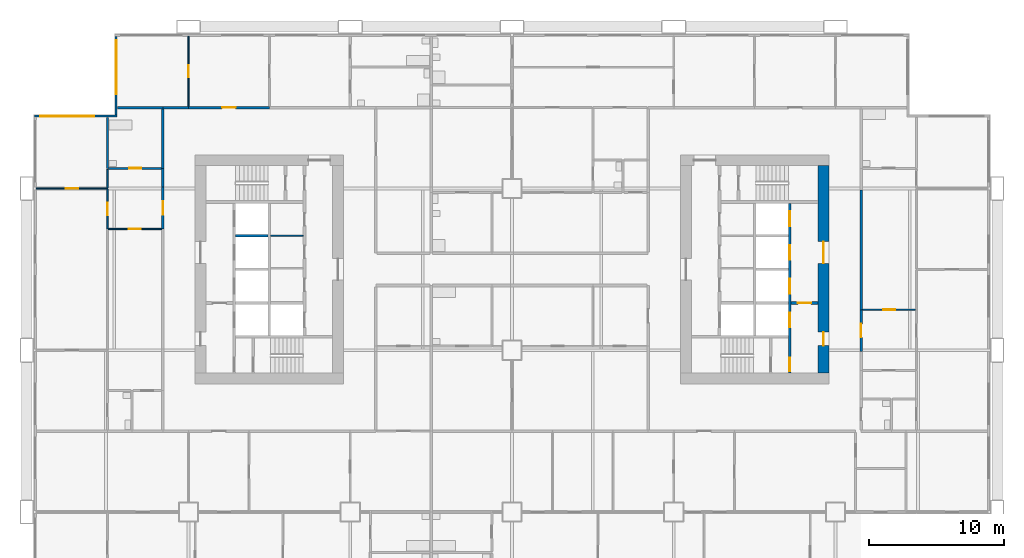
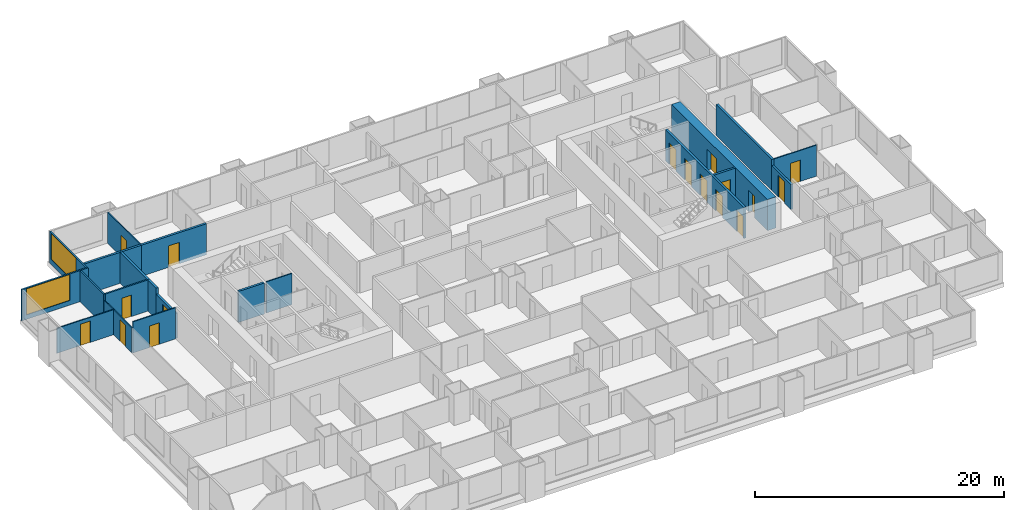
# One storey, part 7 of 13: 23 walls, 17 doors, 2 windows, 19 openings.
"""IFC4 building model written with IfcOpenShell, lengths in metres."""

import ifcopenshell
import ifcopenshell.guid

model = None  # the IFC model being written
_history = None  # IfcOwnerHistory: only IFC2X3 demands one
_inside = {}  # id of a spatial element -> (the spatial element, [elements in it])
_under = {}  # id of a project, library or spatial element -> (it, [spatial elements below it])
_declared = {}  # id of a project -> (the project, [libraries it declares])
_typed = {}  # id of a type object -> (the type object, [elements of that type])
_made_of = {}  # id of a material, layer set ... -> (it, [elements and type objects made of it])


def new_model(schema):
    """Start an empty IFC model of exactly this schema.

    Asked for "IFC4X3", IfcOpenShell would pick the latest addendum, in which some entities
    have other attributes; the version numbers below select the first issue.
    IFC2X3 requires an IfcOwnerHistory on every rooted entity: one is made here for all.
    """
    global model, _history
    if schema == "IFC4X3":
        model = ifcopenshell.file(schema_version=(4, 3, 0, 0))
    else:
        model = ifcopenshell.file(schema=schema)
    _inside.clear()
    _under.clear()
    _declared.clear()
    _typed.clear()
    _made_of.clear()
    _history = None
    if model.schema == "IFC2X3":
        org = make("IfcOrganization", Name="unknown")
        user = make(
            "IfcPersonAndOrganization",
            ThePerson=make("IfcPerson", FamilyName="unknown"),
            TheOrganization=org,
        )
        app = make(
            "IfcApplication",
            ApplicationDeveloper=org,
            Version="unknown",
            ApplicationFullName="unknown",
            ApplicationIdentifier="unknown",
        )
        _history = make(
            "IfcOwnerHistory",
            OwningUser=user,
            OwningApplication=app,
            ChangeAction="ADDED",
            CreationDate=0,
        )
    return model


def make(cls, **values):
    """One entity of the class cls with the attributes given. An attribute that is None is left unset."""
    return model.create_entity(
        cls, **{name: value for name, value in values.items() if value is not None}
    )


def rooted(cls, **values):
    """An entity with a GlobalId (a new one), such as an element, a storey or a relation."""
    return make(cls, GlobalId=ifcopenshell.guid.new(), OwnerHistory=_history, **values)


def si_unit(unit_type, name, prefix=None):
    """IfcSIUnit, for example si_unit("LENGTHUNIT", "METRE", prefix="MILLI")."""
    return make("IfcSIUnit", UnitType=unit_type, Prefix=prefix, Name=name)


def assignment(units):
    """IfcUnitAssignment: the units of a project."""
    return None if units is None else make("IfcUnitAssignment", Units=units)


def point(xyz):
    """IfcCartesianPoint."""
    return None if xyz is None else make("IfcCartesianPoint", Coordinates=xyz)


def direction(xyz):
    """IfcDirection."""
    return None if xyz is None else make("IfcDirection", DirectionRatios=xyz)


def frame(location, z_axis=None, x_axis=None):
    """IfcAxis2Placement3D, a coordinate frame: its origin and axes. An axis left out is left unset."""
    return make(
        "IfcAxis2Placement3D",
        Location=point(location),
        Axis=direction(z_axis),
        RefDirection=direction(x_axis),
    )


def frame_2d(location, x_axis=None):
    """IfcAxis2Placement2D, a coordinate frame in the plane: its origin and x axis."""
    return make(
        "IfcAxis2Placement2D", Location=point(location), RefDirection=direction(x_axis)
    )


def origin():
    """The frame at (0, 0, 0) with its axes left unset."""
    return frame((0.0, 0.0, 0.0))


def place(relative_to, where):
    """IfcLocalPlacement: puts the frame where relative to a parent placement (None: the world)."""
    return make(
        "IfcLocalPlacement", PlacementRelTo=relative_to, RelativePlacement=where
    )


def context(
    kind, dimensions, precision=None, world=None, true_north=None, identifier=None
):
    """IfcGeometricRepresentationContext, for example the 3D "Model" context."""
    return make(
        "IfcGeometricRepresentationContext",
        ContextIdentifier=identifier,
        ContextType=kind,
        CoordinateSpaceDimension=dimensions,
        Precision=precision,
        WorldCoordinateSystem=world,
        TrueNorth=true_north,
    )


def subcontext(parent, identifier, kind, view, scale=None):
    """IfcGeometricRepresentationSubContext, for example "Body" below "Model"."""
    return make(
        "IfcGeometricRepresentationSubContext",
        ContextIdentifier=identifier,
        ContextType=kind,
        ParentContext=parent,
        TargetScale=scale,
        TargetView=view,
    )


def project(units=None, contexts=None):
    """IfcProject with its units and contexts."""
    return rooted(
        "IfcProject",
        Name="project",
        RepresentationContexts=contexts,
        UnitsInContext=assignment(units),
    )


def spatial(cls, under=None, at=None, **own):
    """A site, building, storey or space (cls), placed at a placement, below another one or the project."""
    s = rooted(cls, ObjectPlacement=at, **own)
    if under is not None:
        _under.setdefault(under.id(), (under, []))[1].append(s)
    return s


def profile(cls, at=None, kind="AREA", **sizes):
    """A parametric profile (cls). Its sizes go by their IFC names, for example OverallWidth=200.0."""
    return make(cls, ProfileType=kind, Position=at, **sizes)


def rectangle(**sizes):
    """IfcRectangleProfileDef."""
    return profile("IfcRectangleProfileDef", **sizes)


def extrude(swept, where, along, depth):
    """IfcExtrudedAreaSolid: the profile swept, set in the frame where, extruded along a direction by depth."""
    return make(
        "IfcExtrudedAreaSolid",
        SweptArea=swept,
        Position=where,
        ExtrudedDirection=direction(along),
        Depth=depth,
    )


def shape(context_of_items, identifier, shape_type, items):
    """IfcShapeRepresentation: the items that make up one representation, for example the "Body"."""
    return make(
        "IfcShapeRepresentation",
        ContextOfItems=context_of_items,
        RepresentationIdentifier=identifier,
        RepresentationType=shape_type,
        Items=items,
    )


def material(Name=None, Category=None):
    """IfcMaterial."""
    return make("IfcMaterial", Name=Name, Category=Category)


def layer(
    of_material, thickness, ventilated=None, Name=None, Category=None, Priority=None
):
    """IfcMaterialLayer: one layer of a wall or slab, of a material (None: an air gap)."""
    return make(
        "IfcMaterialLayer",
        Material=of_material,
        LayerThickness=thickness,
        IsVentilated=ventilated,
        Name=Name,
        Category=Category,
        Priority=Priority,
    )


def layer_set(layers, Name=None):
    """IfcMaterialLayerSet."""
    return make("IfcMaterialLayerSet", MaterialLayers=layers, LayerSetName=Name)


def made_of(thing, what):
    """Note that an element or type object is made of a material, layer set ...; save() writes the relation."""
    if what is not None:
        _made_of.setdefault(what.id(), (what, []))[1].append(thing)
    return thing


def type_object(cls, material=None, **own):
    """A type object (cls), such as IfcWallType, which elements share."""
    return made_of(rooted(cls, **own), material)


def element(
    cls,
    number,
    at=None,
    inside=None,
    cuts=None,
    type_object=None,
    material=None,
    context=None,
    identifier="Body",
    shape_type=None,
    held_by="IfcProductDefinitionShape",
    body=None,
    shapes=None,
    **own,
):
    """One element of the class cls, such as IfcWall. Its Tag is "e" and its number.

    at: its placement. inside: the storey or other place that contains it. cuts: it is an
    opening in that element (IfcRelVoidsElement). A single representation is given by context,
    identifier, shape_type and body (its items); several are given by shapes. held_by: the class
    of the entity that holds the representations. save() writes the other relations.
    """
    e = rooted(cls, Tag="e%d" % number, ObjectPlacement=at, **own)
    if body is not None:
        shapes = [shape(context, identifier, shape_type, body)]
    if shapes is not None:
        e.Representation = make(held_by, Representations=shapes)
    if inside is not None:
        _inside.setdefault(inside.id(), (inside, []))[1].append(e)
    if cuts is not None:
        rooted(
            "IfcRelVoidsElement", RelatingBuildingElement=cuts, RelatedOpeningElement=e
        )
    if type_object is not None:
        _typed.setdefault(type_object.id(), (type_object, []))[1].append(e)
    return made_of(e, material)


def fill(opening, filler):
    """IfcRelFillsElement: the door or window that sits in an opening."""
    return rooted(
        "IfcRelFillsElement",
        RelatingOpeningElement=opening,
        RelatedBuildingElement=filler,
    )


def aggregate(whole, parts):
    """IfcRelAggregates: a whole, such as a stair, and the parts it consists of."""
    return rooted("IfcRelAggregates", RelatingObject=whole, RelatedObjects=parts)


def save(model, path):
    """Write the relations noted so far, then the file.

    IfcRelAggregates (storeys below a building ...), IfcRelContainedInSpatialStructure (elements
    in a storey), IfcRelDefinesByType, IfcRelAssociatesMaterial and IfcRelDeclares: one each for
    every whole, place, type object, material and project.
    """
    for whole, parts in _under.values():
        aggregate(whole, parts)
    for where, things in _inside.values():
        rooted(
            "IfcRelContainedInSpatialStructure",
            RelatedElements=things,
            RelatingStructure=where,
        )
    for kind, things in _typed.values():
        rooted("IfcRelDefinesByType", RelatedObjects=things, RelatingType=kind)
    for what, things in _made_of.values():
        rooted("IfcRelAssociatesMaterial", RelatedObjects=things, RelatingMaterial=what)
    for by, libraries in _declared.values():
        rooted("IfcRelDeclares", RelatingContext=by, RelatedDefinitions=libraries)
    model.write(path)


model = new_model("IFC4")

# Units and contexts
model_context = context("Model", 3, precision=1e-05, world=origin(), true_north=direction((0.0, 1.0)))
body_context = subcontext(model_context, "Body", "Model", "MODEL_VIEW")
ifc_project = project(units=[si_unit("LENGTHUNIT", "METRE"), si_unit("AREAUNIT", "SQUARE_METRE"), si_unit("VOLUMEUNIT", "CUBIC_METRE"), si_unit("PLANEANGLEUNIT", "RADIAN"), si_unit("MASSUNIT", "GRAM", prefix="KILO")], contexts=[model_context])

# Site, building, storey
site_placement = place(None, origin())
site = spatial("IfcSite", under=ifc_project, at=site_placement, CompositionType="ELEMENT")
building_placement = place(site_placement, origin())
building = spatial("IfcBuilding", under=site, at=building_placement, Name="Kitamizu Gate Tower and Museum", CompositionType="ELEMENT")
storey_placement = place(building_placement, frame((0.0, 0.0, 47.25)))
storey = spatial("IfcBuildingStorey", under=building, at=storey_placement, Name="L10", CompositionType="ELEMENT", Elevation=47.25)

# Wall, openings, doors
ifc_material_1 = material(Name="Concrete Fc60", Category="concrete")
ifc_layer_1 = layer(ifc_material_1, 0.800048828125)
ifc_layer_set_1 = layer_set([ifc_layer_1], Name="Concrete Fc60")
wall_type_1 = type_object("IfcWallType", Name="Core wall 800", PredefinedType="SHEAR", material=ifc_layer_set_1)
wall_1_placement = place(storey_placement, frame((59.10009765625, 22.300048828125, 0.0), z_axis=(0.0, 0.0, 1.0), x_axis=(0.0, 1.0, 0.0)))
wall_1 = element("IfcWall", 1, at=wall_1_placement, inside=storey, type_object=wall_type_1, Name="Core wall EOUT", PredefinedType="SHEAR", context=body_context, shape_type="SweptSolid", body=[
    extrude(rectangle(XDim=15.39990234375, YDim=0.800048828125, at=frame_2d((7.699951171875, 0.0))), origin(), (0.0, 0.0, 1.0), 3.050048828125),
])
opening_1_placement = place(wall_1_placement, frame((8.14990234375, 0.0, 0.0)))
opening_1 = element("IfcOpeningElement", 2, at=opening_1_placement, cuts=wall_1, Name="Opening L10-096", PredefinedType="OPENING", context=body_context, shape_type="SweptSolid", body=[
    extrude(rectangle(XDim=1.60009765625, YDim=2.10009765625, at=frame_2d((0.800048828125, 1.050048828125))), frame((0.0, 0.41015625, 0.0), z_axis=(0.0, -1.0, 0.0), x_axis=(1.0, 0.0, 0.0)), (0.0, 0.0, 1.0), 0.820068359375),
])
opening_2_placement = place(wall_1_placement, frame((2.050048828125, 0.0, 0.0)))
opening_2 = element("IfcOpeningElement", 3, at=opening_2_placement, cuts=wall_1, Name="Opening L10-097", PredefinedType="OPENING", context=body_context, shape_type="SweptSolid", body=[
    extrude(rectangle(XDim=1.0, YDim=2.10009765625, at=frame_2d((0.5, 1.050048828125))), frame((0.0, 0.41015625, 0.0), z_axis=(0.0, -1.0, 0.0), x_axis=(1.0, 0.0, 0.0)), (0.0, 0.0, 1.0), 0.820068359375),
])
ifc_material_2 = material(Name="Timber door set", Category="wood")
door_type_1 = type_object("IfcDoorType", Name="Entrance door 1600", OperationType="DOUBLE_DOOR_SINGLE_SWING", PredefinedType="DOOR", material=ifc_material_2)
door_1_placement = place(opening_1_placement, origin())
door_1 = element("IfcDoor", 4, at=door_1_placement, inside=storey, type_object=door_type_1, Name="Lobby door L10-096", OperationType="DOUBLE_DOOR_SINGLE_SWING", OverallHeight=2.10009765625, OverallWidth=1.60009765625, PredefinedType="DOOR", context=body_context, shape_type="SweptSolid", body=[
    extrude(rectangle(XDim=1.60009765625, YDim=2.10009765625, at=frame_2d((0.800048828125, 1.050048828125))), frame((0.0, 0.02490234375, 0.0), z_axis=(0.0, -1.0, 0.0), x_axis=(1.0, 0.0, 0.0)), (0.0, 0.0, 1.0), 0.050048828125),
])
fill(opening_1, door_1)
ifc_material_3 = material(Name="Hollow metal door set")
door_type_2 = type_object("IfcDoorType", Name="Fire door 1000", OperationType="NOTDEFINED", PredefinedType="DOOR", material=ifc_material_3)
door_2_placement = place(opening_2_placement, origin())
door_2 = element("IfcDoor", 5, at=door_2_placement, inside=storey, type_object=door_type_2, Name="Fire-fighting lobby door L10-097", OperationType="SINGLE_SWING_RIGHT", OverallHeight=2.10009765625, OverallWidth=1.0, PredefinedType="DOOR", context=body_context, shape_type="SweptSolid", body=[
    extrude(rectangle(XDim=1.0, YDim=2.10009765625, at=frame_2d((0.5, 1.050048828125))), frame((0.0, 0.02490234375, 0.0), z_axis=(0.0, -1.0, 0.0), x_axis=(1.0, 0.0, 0.0)), (0.0, 0.0, 1.0), 0.050048828125),
])
fill(opening_2, door_2)

# Wall
ifc_material_4 = material(Name="Gypsum board on galvanised stud")
ifc_layer_2 = layer(ifc_material_4, 0.10009765625)
ifc_layer_set_2 = layer_set([ifc_layer_2], Name="Gypsum board on galvanised stud")
wall_type_2 = type_object("IfcWallType", Name="Partition 100", PredefinedType="PARTITIONING", material=ifc_layer_set_2)
wall_2_placement = place(storey_placement, frame((18.10009765625, 32.490966796875, 0.0), z_axis=(0.0, 0.0, 1.0), x_axis=(1.0, 0.0, 0.0)))
element("IfcWall", 6, at=wall_2_placement, inside=storey, type_object=wall_type_2, Name="Partition WPF2", PredefinedType="PARTITIONING", context=body_context, shape_type="SweptSolid", body=[
    extrude(rectangle(XDim=2.39990234375, YDim=0.10009765625, at=frame_2d((1.199951171875, 0.0))), origin(), (0.0, 0.0, 1.0), 3.050048828125),
])

# Wall, opening, door
ifc_material_5 = material(Name="Gypsum board on galvanised stud")
ifc_layer_3 = layer(ifc_material_5, 0.10009765625)
ifc_layer_set_3 = layer_set([ifc_layer_3], Name="Gypsum board on galvanised stud")
wall_type_3 = type_object("IfcWallType", Name="Partition 100 NOT RATED", PredefinedType="PARTITIONING", material=ifc_layer_set_3)
wall_3_placement = place(storey_placement, frame((12.0, 42.10009765625, 0.0), z_axis=(0.0, 0.0, 1.0), x_axis=(0.0, 1.0, 0.0)))
wall_3 = element("IfcWall", 7, at=wall_3_placement, inside=storey, type_object=wall_type_3, Name="Partition L10-114", PredefinedType="PARTITIONING", context=body_context, shape_type="SweptSolid", body=[
    extrude(rectangle(XDim=5.179931640625, YDim=0.10009765625, at=frame_2d((2.58984375, 0.0))), origin(), (0.0, 0.0, 1.0), 3.050048828125),
])
opening_3_placement = place(wall_3_placement, frame((2.139892578125, 0.0, 0.0)))
opening_3 = element("IfcOpeningElement", 8, at=opening_3_placement, cuts=wall_3, Name="Opening L10-043", PredefinedType="OPENING", context=body_context, shape_type="SweptSolid", body=[
    extrude(rectangle(XDim=0.89990234375, YDim=2.10009765625, at=frame_2d((0.449951171875, 1.050048828125))), frame((0.0, 0.06005859375, 0.0), z_axis=(0.0, -1.0, 0.0), x_axis=(1.0, 0.0, 0.0)), (0.0, 0.0, 1.0), 0.1201171875),
])
ifc_material_6 = material(Name="Timber door set", Category="wood")
door_type_3 = type_object("IfcDoorType", Name="Room door 900", OperationType="NOTDEFINED", PredefinedType="DOOR", material=ifc_material_6)
door_3_placement = place(opening_3_placement, origin())
door_3 = element("IfcDoor", 9, at=door_3_placement, inside=storey, type_object=door_type_3, Name="Door L10-043", OperationType="SINGLE_SWING_LEFT", OverallHeight=2.10009765625, OverallWidth=0.89990234375, PredefinedType="DOOR", context=body_context, shape_type="SweptSolid", body=[
    extrude(rectangle(XDim=0.89990234375, YDim=2.10009765625, at=frame_2d((0.449951171875, 1.050048828125))), frame((0.0, 0.02490234375, 0.0), z_axis=(0.0, -1.0, 0.0), x_axis=(1.0, 0.0, 0.0)), (0.0, 0.0, 1.0), 0.050048828125),
])
fill(opening_3, door_3)

wall_4_placement = place(storey_placement, frame((6.0, 36.0, 0.0), z_axis=(0.0, 0.0, 1.0), x_axis=(-1.0, 0.0, 0.0)))
wall_4 = element("IfcWall", 10, at=wall_4_placement, inside=storey, type_object=wall_type_3, Name="Partition L10-137", PredefinedType="PARTITIONING", context=body_context, shape_type="SweptSolid", body=[
    extrude(rectangle(XDim=5.280029296875, YDim=0.10009765625, at=frame_2d((2.64013671875, 0.0))), origin(), (0.0, 0.0, 1.0), 2.449951171875),
])
opening_4_placement = place(wall_4_placement, frame((2.18994140625, 0.0, 0.0)))
opening_4 = element("IfcOpeningElement", 11, at=opening_4_placement, cuts=wall_4, Name="Opening L10-051", PredefinedType="OPENING", context=body_context, shape_type="SweptSolid", body=[
    extrude(rectangle(XDim=0.89990234375, YDim=2.10009765625, at=frame_2d((0.449951171875, 1.050048828125))), frame((0.0, 0.06005859375, 0.0), z_axis=(0.0, -1.0, 0.0), x_axis=(1.0, 0.0, 0.0)), (0.0, 0.0, 1.0), 0.1201171875),
])
door_4_placement = place(opening_4_placement, frame((0.89990234375, 0.0, 0.0), x_axis=(-1.0, 0.0, 0.0)))
door_4 = element("IfcDoor", 12, at=door_4_placement, inside=storey, type_object=door_type_3, Name="Door L10-051", OperationType="SINGLE_SWING_RIGHT", OverallHeight=2.10009765625, OverallWidth=0.89990234375, PredefinedType="DOOR", context=body_context, shape_type="SweptSolid", body=[
    extrude(rectangle(XDim=0.89990234375, YDim=2.10009765625, at=frame_2d((0.449951171875, 1.050048828125))), frame((0.0, 0.02490234375, 0.0), z_axis=(0.0, -1.0, 0.0), x_axis=(1.0, 0.0, 0.0)), (0.0, 0.0, 1.0), 0.050048828125),
])
fill(opening_4, door_4)

wall_5_placement = place(storey_placement, frame((6.0, 33.0, 0.0), z_axis=(0.0, 0.0, 1.0), x_axis=(0.0, 1.0, 0.0)))
wall_5 = element("IfcWall", 13, at=wall_5_placement, inside=storey, type_object=wall_type_3, Name="Partition L10-139", PredefinedType="PARTITIONING", context=body_context, shape_type="SweptSolid", body=[
    extrude(rectangle(XDim=2.949951171875, YDim=0.10009765625, at=frame_2d((1.47509765625, 0.0))), origin(), (0.0, 0.0, 1.0), 2.449951171875),
])
opening_5_placement = place(wall_5_placement, frame((1.02490234375, 0.0, 0.0)))
opening_5 = element("IfcOpeningElement", 14, at=opening_5_placement, cuts=wall_5, Name="Opening L10-048", PredefinedType="OPENING", context=body_context, shape_type="SweptSolid", body=[
    extrude(rectangle(XDim=0.89990234375, YDim=2.10009765625, at=frame_2d((0.449951171875, 1.050048828125))), frame((0.0, 0.06005859375, 0.0), z_axis=(0.0, -1.0, 0.0), x_axis=(1.0, 0.0, 0.0)), (0.0, 0.0, 1.0), 0.1201171875),
])
door_5_placement = place(opening_5_placement, origin())
door_5 = element("IfcDoor", 15, at=door_5_placement, inside=storey, type_object=door_type_3, Name="Door L10-048", OperationType="SINGLE_SWING_LEFT", OverallHeight=2.10009765625, OverallWidth=0.89990234375, PredefinedType="DOOR", context=body_context, shape_type="SweptSolid", body=[
    extrude(rectangle(XDim=0.89990234375, YDim=2.10009765625, at=frame_2d((0.449951171875, 1.050048828125))), frame((0.0, 0.02490234375, 0.0), z_axis=(0.0, -1.0, 0.0), x_axis=(1.0, 0.0, 0.0)), (0.0, 0.0, 1.0), 0.050048828125),
])
fill(opening_5, door_5)

# Wall
wall_6_placement = place(storey_placement, frame((6.0, 36.050048828125, 0.0), z_axis=(0.0, 0.0, 1.0), x_axis=(0.0, 1.0, 0.0)))
element("IfcWall", 16, at=wall_6_placement, inside=storey, type_object=wall_type_3, Name="Partition L10-140", PredefinedType="PARTITIONING", context=body_context, shape_type="SweptSolid", body=[
    extrude(rectangle(XDim=1.375, YDim=0.10009765625, at=frame_2d((0.6875, 0.0))), origin(), (0.0, 0.0, 1.0), 2.449951171875),
])

# Wall, opening, door
wall_7_placement = place(storey_placement, frame((10.0, 33.0, 0.0), z_axis=(0.0, 0.0, 1.0), x_axis=(-1.0, 0.0, 0.0)))
wall_7 = element("IfcWall", 17, at=wall_7_placement, inside=storey, type_object=wall_type_3, Name="Partition L10-146", PredefinedType="PARTITIONING", context=body_context, shape_type="SweptSolid", body=[
    extrude(rectangle(XDim=3.949951171875, YDim=0.10009765625, at=frame_2d((1.97509765625, 0.0))), origin(), (0.0, 0.0, 1.0), 3.050048828125),
])
opening_6_placement = place(wall_7_placement, frame((1.52490234375, 0.0, 0.0)))
opening_6 = element("IfcOpeningElement", 18, at=opening_6_placement, cuts=wall_7, Name="Opening L10-049", PredefinedType="OPENING", context=body_context, shape_type="SweptSolid", body=[
    extrude(rectangle(XDim=0.89990234375, YDim=2.10009765625, at=frame_2d((0.449951171875, 1.050048828125))), frame((0.0, 0.06005859375, 0.0), z_axis=(0.0, -1.0, 0.0), x_axis=(1.0, 0.0, 0.0)), (0.0, 0.0, 1.0), 0.1201171875),
])
door_6_placement = place(opening_6_placement, frame((0.89990234375, 0.0, 0.0), x_axis=(-1.0, 0.0, 0.0)))
door_6 = element("IfcDoor", 19, at=door_6_placement, inside=storey, type_object=door_type_3, Name="Door L10-049", OperationType="SINGLE_SWING_RIGHT", OverallHeight=2.10009765625, OverallWidth=0.89990234375, PredefinedType="DOOR", context=body_context, shape_type="SweptSolid", body=[
    extrude(rectangle(XDim=0.89990234375, YDim=2.10009765625, at=frame_2d((0.449951171875, 1.050048828125))), frame((0.0, 0.02490234375, 0.0), z_axis=(0.0, -1.0, 0.0), x_axis=(1.0, 0.0, 0.0)), (0.0, 0.0, 1.0), 0.050048828125),
])
fill(opening_6, door_6)

wall_8_placement = place(storey_placement, frame((65.949951171875, 27.0, 0.0), z_axis=(0.0, 0.0, 1.0), x_axis=(-1.0, 0.0, 0.0)))
wall_8 = element("IfcWall", 20, at=wall_8_placement, inside=storey, type_object=wall_type_3, Name="Partition L10-207", PredefinedType="PARTITIONING", context=body_context, shape_type="SweptSolid", body=[
    extrude(rectangle(XDim=3.949951171875, YDim=0.10009765625, at=frame_2d((1.97509765625, 0.0))), origin(), (0.0, 0.0, 1.0), 3.050048828125),
])
opening_7_placement = place(wall_8_placement, frame((1.52490234375, 0.0, 0.0)))
opening_7 = element("IfcOpeningElement", 21, at=opening_7_placement, cuts=wall_8, Name="Opening L10-071", PredefinedType="OPENING", context=body_context, shape_type="SweptSolid", body=[
    extrude(rectangle(XDim=0.89990234375, YDim=2.10009765625, at=frame_2d((0.449951171875, 1.050048828125))), frame((0.0, 0.06005859375, 0.0), z_axis=(0.0, -1.0, 0.0), x_axis=(1.0, 0.0, 0.0)), (0.0, 0.0, 1.0), 0.1201171875),
])
door_7_placement = place(opening_7_placement, origin())
door_7 = element("IfcDoor", 22, at=door_7_placement, inside=storey, type_object=door_type_3, Name="Door L10-071", OperationType="SINGLE_SWING_LEFT", OverallHeight=2.10009765625, OverallWidth=0.89990234375, PredefinedType="DOOR", context=body_context, shape_type="SweptSolid", body=[
    extrude(rectangle(XDim=0.89990234375, YDim=2.10009765625, at=frame_2d((0.449951171875, 1.050048828125))), frame((0.0, 0.02490234375, 0.0), z_axis=(0.0, -1.0, 0.0), x_axis=(1.0, 0.0, 0.0)), (0.0, 0.0, 1.0), 0.050048828125),
])
fill(opening_7, door_7)

# Wall
ifc_material_7 = material(Name="Gypsum board on galvanised stud")
ifc_layer_4 = layer(ifc_material_7, 0.14990234375)
ifc_layer_set_4 = layer_set([ifc_layer_4], Name="Gypsum board on galvanised stud")
wall_type_4 = type_object("IfcWallType", Name="Partition 150", PredefinedType="PARTITIONING", material=ifc_layer_set_4)
wall_9_placement = place(storey_placement, frame((6.0, 37.5, 0.0), z_axis=(0.0, 0.0, 1.0), x_axis=(0.0, 1.0, 0.0)))
element("IfcWall", 23, at=wall_9_placement, inside=storey, type_object=wall_type_4, Name="Partition L10-141", PredefinedType="PARTITIONING", context=body_context, shape_type="SweptSolid", body=[
    extrude(rectangle(XDim=3.780029296875, YDim=0.14990234375, at=frame_2d((1.89013671875, 0.0))), origin(), (0.0, 0.0, 1.0), 3.050048828125),
])

# Wall, opening, door
wall_10_placement = place(storey_placement, frame((10.0, 37.5, 0.0), z_axis=(0.0, 0.0, 1.0), x_axis=(-1.0, 0.0, 0.0)))
wall_10 = element("IfcWall", 24, at=wall_10_placement, inside=storey, type_object=wall_type_4, Name="Partition L10-149", PredefinedType="PARTITIONING", context=body_context, shape_type="SweptSolid", body=[
    extrude(rectangle(XDim=3.925048828125, YDim=0.14990234375, at=frame_2d((1.96240234375, 0.0))), origin(), (0.0, 0.0, 1.0), 3.050048828125),
])
opening_8_placement = place(wall_10_placement, frame((1.512451171875, 0.0, 0.0)))
opening_8 = element("IfcOpeningElement", 25, at=opening_8_placement, cuts=wall_10, Name="Opening L10-054", PredefinedType="OPENING", context=body_context, shape_type="SweptSolid", body=[
    extrude(rectangle(XDim=0.89990234375, YDim=2.10009765625, at=frame_2d((0.449951171875, 1.050048828125))), frame((0.0, 0.0849609375, 0.0), z_axis=(0.0, -1.0, 0.0), x_axis=(1.0, 0.0, 0.0)), (0.0, 0.0, 1.0), 0.169921875),
])
ifc_material_8 = material(Name="Timber door set", Category="wood")
door_type_4 = type_object("IfcDoorType", Name="Bathroom door 900", OperationType="NOTDEFINED", PredefinedType="DOOR", material=ifc_material_8)
door_8_placement = place(opening_8_placement, frame((0.89990234375, 0.0, 0.0), x_axis=(-1.0, 0.0, 0.0)))
door_8 = element("IfcDoor", 26, at=door_8_placement, inside=storey, type_object=door_type_4, Name="Bathroom door L10-054", OperationType="SINGLE_SWING_LEFT", OverallHeight=2.10009765625, OverallWidth=0.89990234375, PredefinedType="DOOR", context=body_context, shape_type="SweptSolid", body=[
    extrude(rectangle(XDim=0.89990234375, YDim=2.10009765625, at=frame_2d((0.449951171875, 1.050048828125))), frame((0.0, 0.02490234375, 0.0), z_axis=(0.0, -1.0, 0.0), x_axis=(1.0, 0.0, 0.0)), (0.0, 0.0, 1.0), 0.050048828125),
])
fill(opening_8, door_8)

# Walls
ifc_material_9 = material(Name="Gypsum board on galvanised stud")
ifc_layer_5 = layer(ifc_material_9, 0.199951171875)
ifc_layer_set_5 = layer_set([ifc_layer_5], Name="Gypsum board on galvanised stud")
wall_type_5 = type_object("IfcWallType", Name="Partition 200", PredefinedType="PARTITIONING", material=ifc_layer_set_5)
wall_11_placement = place(storey_placement, frame((6.719970703125, 42.0, 0.0), z_axis=(0.0, 0.0, 1.0), x_axis=(1.0, 0.0, 0.0)))
element("IfcWall", 27, at=wall_11_placement, inside=storey, type_object=wall_type_5, Name="Partition L10-115", PredefinedType="PARTITIONING", context=body_context, shape_type="SweptSolid", body=[
    extrude(rectangle(XDim=3.380126953125, YDim=0.199951171875, at=frame_2d((1.68994140625, 0.0))), origin(), (0.0, 0.0, 1.0), 3.050048828125),
])
wall_12_placement = place(storey_placement, frame((10.10009765625, 42.0, 0.0), z_axis=(0.0, 0.0, 1.0), x_axis=(1.0, 0.0, 0.0)))
element("IfcWall", 28, at=wall_12_placement, inside=storey, type_object=wall_type_5, Name="Partition L10-116", PredefinedType="PARTITIONING", context=body_context, shape_type="SweptSolid", body=[
    extrude(rectangle(XDim=1.89990234375, YDim=0.199951171875, at=frame_2d((0.949951171875, 0.0))), origin(), (0.0, 0.0, 1.0), 3.050048828125),
])

# Wall, opening, door
wall_13_placement = place(storey_placement, frame((12.0, 42.0, 0.0), z_axis=(0.0, 0.0, 1.0), x_axis=(1.0, 0.0, 0.0)))
wall_13 = element("IfcWall", 29, at=wall_13_placement, inside=storey, type_object=wall_type_5, Name="Partition L10-118", PredefinedType="PARTITIONING", context=body_context, shape_type="SweptSolid", body=[
    extrude(rectangle(XDim=6.0, YDim=0.199951171875, at=frame_2d((3.0, 0.0))), origin(), (0.0, 0.0, 1.0), 3.050048828125),
])
opening_9_placement = place(wall_13_placement, frame((2.5, 0.0, 0.0)))
opening_9 = element("IfcOpeningElement", 30, at=opening_9_placement, cuts=wall_13, Name="Opening L10-042", PredefinedType="OPENING", context=body_context, shape_type="SweptSolid", body=[
    extrude(rectangle(XDim=1.0, YDim=2.10009765625, at=frame_2d((0.5, 1.050048828125))), frame((0.0, 0.10986328125, 0.0), z_axis=(0.0, -1.0, 0.0), x_axis=(1.0, 0.0, 0.0)), (0.0, 0.0, 1.0), 0.219970703125),
])
ifc_material_10 = material(Name="Timber door set", Category="wood")
door_type_5 = type_object("IfcDoorType", Name="Flat entrance door 1000", OperationType="NOTDEFINED", PredefinedType="DOOR", material=ifc_material_10)
door_9_placement = place(opening_9_placement, origin())
door_9 = element("IfcDoor", 31, at=door_9_placement, inside=storey, type_object=door_type_5, Name="Flat entrance door L10-042", OperationType="SINGLE_SWING_RIGHT", OverallHeight=2.10009765625, OverallWidth=1.0, PredefinedType="DOOR", context=body_context, shape_type="SweptSolid", body=[
    extrude(rectangle(XDim=1.0, YDim=2.10009765625, at=frame_2d((0.5, 1.050048828125))), frame((0.0, 0.02490234375, 0.0), z_axis=(0.0, -1.0, 0.0), x_axis=(1.0, 0.0, 0.0)), (0.0, 0.0, 1.0), 0.050048828125),
])
fill(opening_9, door_9)

wall_14_placement = place(storey_placement, frame((10.10009765625, 33.0, 0.0), z_axis=(0.0, 0.0, 1.0), x_axis=(0.0, 1.0, 0.0)))
wall_14 = element("IfcWall", 32, at=wall_14_placement, inside=storey, type_object=wall_type_5, Name="Partition L10-150", PredefinedType="PARTITIONING", context=body_context, shape_type="SweptSolid", body=[
    extrude(rectangle(XDim=3.10009765625, YDim=0.199951171875, at=frame_2d((1.550048828125, 0.0))), origin(), (0.0, 0.0, 1.0), 2.449951171875),
])
opening_10_placement = place(wall_14_placement, frame((1.050048828125, 0.0, 0.0)))
opening_10 = element("IfcOpeningElement", 33, at=opening_10_placement, cuts=wall_14, Name="Opening L10-047", PredefinedType="OPENING", context=body_context, shape_type="SweptSolid", body=[
    extrude(rectangle(XDim=1.0, YDim=2.10009765625, at=frame_2d((0.5, 1.050048828125))), frame((0.0, 0.10986328125, 0.0), z_axis=(0.0, -1.0, 0.0), x_axis=(1.0, 0.0, 0.0)), (0.0, 0.0, 1.0), 0.219970703125),
])
door_10_placement = place(opening_10_placement, origin())
door_10 = element("IfcDoor", 34, at=door_10_placement, inside=storey, type_object=door_type_5, Name="Flat entrance door L10-047", OperationType="SINGLE_SWING_RIGHT", OverallHeight=2.10009765625, OverallWidth=1.0, PredefinedType="DOOR", context=body_context, shape_type="SweptSolid", body=[
    extrude(rectangle(XDim=1.0, YDim=2.10009765625, at=frame_2d((0.5, 1.050048828125))), frame((0.0, 0.02490234375, 0.0), z_axis=(0.0, -1.0, 0.0), x_axis=(1.0, 0.0, 0.0)), (0.0, 0.0, 1.0), 0.050048828125),
])
fill(opening_10, door_10)

# Walls
wall_15_placement = place(storey_placement, frame((10.10009765625, 36.10009765625, 0.0), z_axis=(0.0, 0.0, 1.0), x_axis=(0.0, 1.0, 0.0)))
element("IfcWall", 35, at=wall_15_placement, inside=storey, type_object=wall_type_5, Name="Partition L10-151", PredefinedType="PARTITIONING", context=body_context, shape_type="SweptSolid", body=[
    extrude(rectangle(XDim=1.39990234375, YDim=0.199951171875, at=frame_2d((0.699951171875, 0.0))), origin(), (0.0, 0.0, 1.0), 3.050048828125),
])
wall_16_placement = place(storey_placement, frame((10.10009765625, 37.5, 0.0), z_axis=(0.0, 0.0, 1.0), x_axis=(0.0, 1.0, 0.0)))
element("IfcWall", 36, at=wall_16_placement, inside=storey, type_object=wall_type_5, Name="Partition L10-152", PredefinedType="PARTITIONING", context=body_context, shape_type="SweptSolid", body=[
    extrude(rectangle(XDim=4.39990234375, YDim=0.199951171875, at=frame_2d((2.199951171875, 0.0))), origin(), (0.0, 0.0, 1.0), 3.050048828125),
])

# Wall, opening, door
wall_17_placement = place(storey_placement, frame((61.89990234375, 27.0, 0.0), z_axis=(0.0, 0.0, 1.0), x_axis=(0.0, -1.0, 0.0)))
wall_17 = element("IfcWall", 37, at=wall_17_placement, inside=storey, type_object=wall_type_5, Name="Partition L10-208", PredefinedType="PARTITIONING", context=body_context, shape_type="SweptSolid", body=[
    extrude(rectangle(XDim=3.10009765625, YDim=0.199951171875, at=frame_2d((1.550048828125, 0.0))), origin(), (0.0, 0.0, 1.0), 2.449951171875),
])
opening_11_placement = place(wall_17_placement, frame((1.050048828125, 0.0, 0.0)))
opening_11 = element("IfcOpeningElement", 38, at=opening_11_placement, cuts=wall_17, Name="Opening L10-069", PredefinedType="OPENING", context=body_context, shape_type="SweptSolid", body=[
    extrude(rectangle(XDim=1.0, YDim=2.10009765625, at=frame_2d((0.5, 1.050048828125))), frame((0.0, 0.10986328125, 0.0), z_axis=(0.0, -1.0, 0.0), x_axis=(1.0, 0.0, 0.0)), (0.0, 0.0, 1.0), 0.219970703125),
])
door_11_placement = place(opening_11_placement, origin())
door_11 = element("IfcDoor", 39, at=door_11_placement, inside=storey, type_object=door_type_5, Name="Flat entrance door L10-069", OperationType="SINGLE_SWING_RIGHT", OverallHeight=2.10009765625, OverallWidth=1.0, PredefinedType="DOOR", context=body_context, shape_type="SweptSolid", body=[
    extrude(rectangle(XDim=1.0, YDim=2.10009765625, at=frame_2d((0.5, 1.050048828125))), frame((0.0, 0.02490234375, 0.0), z_axis=(0.0, -1.0, 0.0), x_axis=(1.0, 0.0, 0.0)), (0.0, 0.0, 1.0), 0.050048828125),
])
fill(opening_11, door_11)

# Walls
wall_18_placement = place(storey_placement, frame((61.89990234375, 35.89990234375, 0.0), z_axis=(0.0, 0.0, 1.0), x_axis=(0.0, -1.0, 0.0)))
element("IfcWall", 40, at=wall_18_placement, inside=storey, type_object=wall_type_5, Name="Partition L10-212", PredefinedType="PARTITIONING", context=body_context, shape_type="SweptSolid", body=[
    extrude(rectangle(XDim=8.89990234375, YDim=0.199951171875, at=frame_2d((4.449951171875, 0.0))), origin(), (0.0, 0.0, 1.0), 3.050048828125),
])
ifc_material_11 = material(Name="Concrete Fc42", Category="concrete")
ifc_layer_6 = layer(ifc_material_11, 0.199951171875)
ifc_layer_set_6 = layer_set([ifc_layer_6], Name="Concrete Fc42")
wall_type_6 = type_object("IfcWallType", Name="Shaft wall 200", PredefinedType="SOLIDWALL", material=ifc_layer_set_6)
wall_19_placement = place(storey_placement, frame((15.5, 32.5, 0.0), z_axis=(0.0, 0.0, 1.0), x_axis=(1.0, 0.0, 0.0)))
element("IfcWall", 41, at=wall_19_placement, inside=storey, type_object=wall_type_6, Name="Shaft wall WDVW2", PredefinedType="SOLIDWALL", context=body_context, shape_type="SweptSolid", body=[
    extrude(rectangle(XDim=2.39990234375, YDim=0.199951171875, at=frame_2d((1.199951171875, 0.0))), origin(), (0.0, 0.0, 1.0), 3.050048828125),
])

# Wall, openings, doors
wall_20_placement = place(storey_placement, frame((56.60009765625, 22.300048828125, 0.0), z_axis=(0.0, 0.0, 1.0), x_axis=(0.0, 1.0, 0.0)))
wall_20 = element("IfcWall", 42, at=wall_20_placement, inside=storey, type_object=wall_type_6, Name="Shaft wall EWEST", PredefinedType="SOLIDWALL", context=body_context, shape_type="SweptSolid", body=[
    extrude(rectangle(XDim=12.599853515625, YDim=0.199951171875, at=frame_2d((6.2998046875, 0.0))), origin(), (0.0, 0.0, 1.0), 3.050048828125),
])
opening_12_placement = place(wall_20_placement, frame((3.39990234375, 0.0, 0.0)))
opening_12 = element("IfcOpeningElement", 43, at=opening_12_placement, cuts=wall_20, Name="Opening LD", PredefinedType="OPENING", context=body_context, shape_type="SweptSolid", body=[
    extrude(rectangle(XDim=1.10009765625, YDim=2.10009765625, at=frame_2d((0.550048828125, 1.050048828125))), frame((0.0, 0.10986328125, 0.0), z_axis=(0.0, -1.0, 0.0), x_axis=(1.0, 0.0, 0.0)), (0.0, 0.0, 1.0), 0.219970703125),
])
opening_13_placement = place(wall_20_placement, frame((5.89990234375, 0.0, 0.0)))
opening_13 = element("IfcOpeningElement", 44, at=opening_13_placement, cuts=wall_20, Name="Opening LD", PredefinedType="OPENING", context=body_context, shape_type="SweptSolid", body=[
    extrude(rectangle(XDim=1.10009765625, YDim=2.10009765625, at=frame_2d((0.550048828125, 1.050048828125))), frame((0.0, 0.10986328125, 0.0), z_axis=(0.0, -1.0, 0.0), x_axis=(1.0, 0.0, 0.0)), (0.0, 0.0, 1.0), 0.219970703125),
])
opening_14_placement = place(wall_20_placement, frame((8.39990234375, 0.0, 0.0)))
opening_14 = element("IfcOpeningElement", 45, at=opening_14_placement, cuts=wall_20, Name="Opening LD", PredefinedType="OPENING", context=body_context, shape_type="SweptSolid", body=[
    extrude(rectangle(XDim=1.10009765625, YDim=2.10009765625, at=frame_2d((0.550048828125, 1.050048828125))), frame((0.0, 0.10986328125, 0.0), z_axis=(0.0, -1.0, 0.0), x_axis=(1.0, 0.0, 0.0)), (0.0, 0.0, 1.0), 0.219970703125),
])
opening_15_placement = place(wall_20_placement, frame((10.89990234375, 0.0, 0.0)))
opening_15 = element("IfcOpeningElement", 46, at=opening_15_placement, cuts=wall_20, Name="Opening LD", PredefinedType="OPENING", context=body_context, shape_type="SweptSolid", body=[
    extrude(rectangle(XDim=1.10009765625, YDim=2.10009765625, at=frame_2d((0.550048828125, 1.050048828125))), frame((0.0, 0.10986328125, 0.0), z_axis=(0.0, -1.0, 0.0), x_axis=(1.0, 0.0, 0.0)), (0.0, 0.0, 1.0), 0.219970703125),
])
opening_16_placement = place(wall_20_placement, frame((0.14990234375, 0.0, 0.0)))
opening_16 = element("IfcOpeningElement", 47, at=opening_16_placement, cuts=wall_20, Name="Opening L10-092", PredefinedType="OPENING", context=body_context, shape_type="SweptSolid", body=[
    extrude(rectangle(XDim=1.0, YDim=2.10009765625, at=frame_2d((0.5, 1.050048828125))), frame((0.0, 0.10986328125, 0.0), z_axis=(0.0, -1.0, 0.0), x_axis=(1.0, 0.0, 0.0)), (0.0, 0.0, 1.0), 0.219970703125),
])
door_12_placement = place(opening_16_placement, origin())
door_12 = element("IfcDoor", 48, at=door_12_placement, inside=storey, type_object=door_type_2, Name="Stair lobby door L10-092", OperationType="SINGLE_SWING_RIGHT", OverallHeight=2.10009765625, OverallWidth=1.0, PredefinedType="DOOR", context=body_context, shape_type="SweptSolid", body=[
    extrude(rectangle(XDim=1.0, YDim=2.10009765625, at=frame_2d((0.5, 1.050048828125))), frame((0.0, 0.02490234375, 0.0), z_axis=(0.0, -1.0, 0.0), x_axis=(1.0, 0.0, 0.0)), (0.0, 0.0, 1.0), 0.050048828125),
])
fill(opening_16, door_12)
ifc_material_12 = material(Name="Hollow metal door set")
door_type_6 = type_object("IfcDoorType", Name="Landing door 1100", OperationType="SLIDING_TO_LEFT", PredefinedType="DOOR", material=ifc_material_12)
door_13_placement = place(opening_12_placement, origin())
door_13 = element("IfcDoor", 49, at=door_13_placement, inside=storey, type_object=door_type_6, Name="Landing door EFF1", OperationType="SLIDING_TO_LEFT", OverallHeight=2.10009765625, OverallWidth=1.10009765625, PredefinedType="DOOR", context=body_context, shape_type="SweptSolid", body=[
    extrude(rectangle(XDim=1.10009765625, YDim=2.10009765625, at=frame_2d((0.550048828125, 1.050048828125))), frame((0.0, 0.02490234375, 0.0), z_axis=(0.0, -1.0, 0.0), x_axis=(1.0, 0.0, 0.0)), (0.0, 0.0, 1.0), 0.050048828125),
])
fill(opening_12, door_13)
door_14_placement = place(opening_13_placement, origin())
door_14 = element("IfcDoor", 50, at=door_14_placement, inside=storey, type_object=door_type_6, Name="Landing door EL1", OperationType="SLIDING_TO_LEFT", OverallHeight=2.10009765625, OverallWidth=1.10009765625, PredefinedType="DOOR", context=body_context, shape_type="SweptSolid", body=[
    extrude(rectangle(XDim=1.10009765625, YDim=2.10009765625, at=frame_2d((0.550048828125, 1.050048828125))), frame((0.0, 0.02490234375, 0.0), z_axis=(0.0, -1.0, 0.0), x_axis=(1.0, 0.0, 0.0)), (0.0, 0.0, 1.0), 0.050048828125),
])
fill(opening_13, door_14)
door_15_placement = place(opening_14_placement, origin())
door_15 = element("IfcDoor", 51, at=door_15_placement, inside=storey, type_object=door_type_6, Name="Landing door EL2", OperationType="SLIDING_TO_LEFT", OverallHeight=2.10009765625, OverallWidth=1.10009765625, PredefinedType="DOOR", context=body_context, shape_type="SweptSolid", body=[
    extrude(rectangle(XDim=1.10009765625, YDim=2.10009765625, at=frame_2d((0.550048828125, 1.050048828125))), frame((0.0, 0.02490234375, 0.0), z_axis=(0.0, -1.0, 0.0), x_axis=(1.0, 0.0, 0.0)), (0.0, 0.0, 1.0), 0.050048828125),
])
fill(opening_14, door_15)
door_16_placement = place(opening_15_placement, origin())
door_16 = element("IfcDoor", 52, at=door_16_placement, inside=storey, type_object=door_type_6, Name="Landing door EL3", OperationType="SLIDING_TO_LEFT", OverallHeight=2.10009765625, OverallWidth=1.10009765625, PredefinedType="DOOR", context=body_context, shape_type="SweptSolid", body=[
    extrude(rectangle(XDim=1.10009765625, YDim=2.10009765625, at=frame_2d((0.550048828125, 1.050048828125))), frame((0.0, 0.02490234375, 0.0), z_axis=(0.0, -1.0, 0.0), x_axis=(1.0, 0.0, 0.0)), (0.0, 0.0, 1.0), 0.050048828125),
])
fill(opening_15, door_16)

# Wall, opening, door
wall_21_placement = place(storey_placement, frame((58.699951171875, 27.5, 0.0), z_axis=(0.0, 0.0, 1.0), x_axis=(-1.0, 0.0, 0.0)))
wall_21 = element("IfcWall", 53, at=wall_21_placement, inside=storey, type_object=wall_type_6, Name="Shaft wall EFFN", PredefinedType="SOLIDWALL", context=body_context, shape_type="SweptSolid", body=[
    extrude(rectangle(XDim=2.0, YDim=0.199951171875, at=frame_2d((1.0, 0.0))), origin(), (0.0, 0.0, 1.0), 3.050048828125),
])
opening_17_placement = place(wall_21_placement, frame((0.5, 0.0, 0.0)))
opening_17 = element("IfcOpeningElement", 54, at=opening_17_placement, cuts=wall_21, Name="Opening L10-095", PredefinedType="OPENING", context=body_context, shape_type="SweptSolid", body=[
    extrude(rectangle(XDim=1.0, YDim=2.10009765625, at=frame_2d((0.5, 1.050048828125))), frame((0.0, 0.10986328125, 0.0), z_axis=(0.0, -1.0, 0.0), x_axis=(1.0, 0.0, 0.0)), (0.0, 0.0, 1.0), 0.219970703125),
])
door_17_placement = place(opening_17_placement, origin())
door_17 = element("IfcDoor", 55, at=door_17_placement, inside=storey, type_object=door_type_2, Name="Fire-fighting lobby door L10-095", OperationType="SINGLE_SWING_LEFT", OverallHeight=2.10009765625, OverallWidth=1.0, PredefinedType="DOOR", context=body_context, shape_type="SweptSolid", body=[
    extrude(rectangle(XDim=1.0, YDim=2.10009765625, at=frame_2d((0.5, 1.050048828125))), frame((0.0, 0.02490234375, 0.0), z_axis=(0.0, -1.0, 0.0), x_axis=(1.0, 0.0, 0.0)), (0.0, 0.0, 1.0), 0.050048828125),
])
fill(opening_17, door_17)

# Wall, opening, window
ifc_material_13 = material(Name="Bronze anodised aluminium frame with insulated spandrel and tinted glass", Category="aluminium")
ifc_layer_7 = layer(ifc_material_13, 0.14990234375)
ifc_layer_set_7 = layer_set([ifc_layer_7], Name="Bronze anodised aluminium frame with insulated spandrel and tinted glass")
wall_type_7 = type_object("IfcWallType", Name="WINDOW WALL 150 BRONZE FRAME EI 30", PredefinedType="ELEMENTEDWALL", material=ifc_layer_set_7)
wall_22_placement = place(storey_placement, frame((6.635009765625, 41.43994140625, 0.0), z_axis=(0.0, 0.0, 1.0), x_axis=(0.0, 1.0, 0.0)))
wall_22 = element("IfcWall", 56, at=wall_22_placement, inside=storey, type_object=wall_type_7, Name="Window wall west L10", PredefinedType="ELEMENTEDWALL", context=body_context, shape_type="SweptSolid", body=[
    extrude(rectangle(XDim=5.85009765625, YDim=0.14990234375, at=frame_2d((2.925048828125, 0.0))), origin(), (0.0, 0.0, 1.0), 3.050048828125),
])
opening_18_placement = place(wall_22_placement, frame((1.56005859375, 0.0, 0.449951171875)))
opening_18 = element("IfcOpeningElement", 57, at=opening_18_placement, cuts=wall_22, Name="Opening W16", PredefinedType="OPENING", context=body_context, shape_type="SweptSolid", body=[
    extrude(rectangle(XDim=4.0, YDim=2.550048828125, at=frame_2d((2.0, 1.27490234375))), frame((0.0, 0.0849609375, 0.0), z_axis=(0.0, -1.0, 0.0), x_axis=(1.0, 0.0, 0.0)), (0.0, 0.0, 1.0), 0.169921875),
])
ifc_material_14 = material(Name="Bronze anodised aluminium frame, tinted triple glazing", Category="aluminium")
window_type = type_object("IfcWindowType", Name="WINDOW 4000 x 2550 SILL 450", PartitioningType="SINGLE_PANEL", PredefinedType="WINDOW", material=ifc_material_14)
window_1_placement = place(opening_18_placement, origin())
window_1 = element("IfcWindow", 58, at=window_1_placement, inside=storey, type_object=window_type, Name="Window W16 L10", OverallHeight=2.550048828125, OverallWidth=4.0, PartitioningType="SINGLE_PANEL", PredefinedType="WINDOW", context=body_context, shape_type="SweptSolid", body=[
    extrude(rectangle(XDim=4.0, YDim=2.550048828125, at=frame_2d((2.0, 1.27490234375))), frame((0.0, 0.030029296875, 0.0), z_axis=(0.0, -1.0, 0.0), x_axis=(1.0, 0.0, 0.0)), (0.0, 0.0, 1.0), 0.06005859375),
])
fill(opening_18, window_1)

wall_23_placement = place(storey_placement, frame((0.56005859375, 41.364990234375, 0.0), z_axis=(0.0, 0.0, 1.0), x_axis=(1.0, 0.0, 0.0)))
wall_23 = element("IfcWall", 59, at=wall_23_placement, inside=storey, type_object=wall_type_7, Name="Window wall north L10", PredefinedType="ELEMENTEDWALL", context=body_context, shape_type="SweptSolid", body=[
    extrude(rectangle(XDim=6.14990234375, YDim=0.14990234375, at=frame_2d((3.074951171875, 0.0))), origin(), (0.0, 0.0, 1.0), 3.050048828125),
])
opening_19_placement = place(wall_23_placement, frame((0.43994140625, 0.0, 0.449951171875)))
opening_19 = element("IfcOpeningElement", 60, at=opening_19_placement, cuts=wall_23, Name="Opening W16", PredefinedType="OPENING", context=body_context, shape_type="SweptSolid", body=[
    extrude(rectangle(XDim=4.0, YDim=2.550048828125, at=frame_2d((2.0, 1.27490234375))), frame((0.0, 0.0849609375, 0.0), z_axis=(0.0, -1.0, 0.0), x_axis=(1.0, 0.0, 0.0)), (0.0, 0.0, 1.0), 0.169921875),
])
window_2_placement = place(opening_19_placement, origin())
window_2 = element("IfcWindow", 61, at=window_2_placement, inside=storey, type_object=window_type, Name="Window W16 L10", OverallHeight=2.550048828125, OverallWidth=4.0, PartitioningType="SINGLE_PANEL", PredefinedType="WINDOW", context=body_context, shape_type="SweptSolid", body=[
    extrude(rectangle(XDim=4.0, YDim=2.550048828125, at=frame_2d((2.0, 1.27490234375))), frame((0.0, 0.030029296875, 0.0), z_axis=(0.0, -1.0, 0.0), x_axis=(1.0, 0.0, 0.0)), (0.0, 0.0, 1.0), 0.06005859375),
])
fill(opening_19, window_2)

save(model, "model.ifc")
